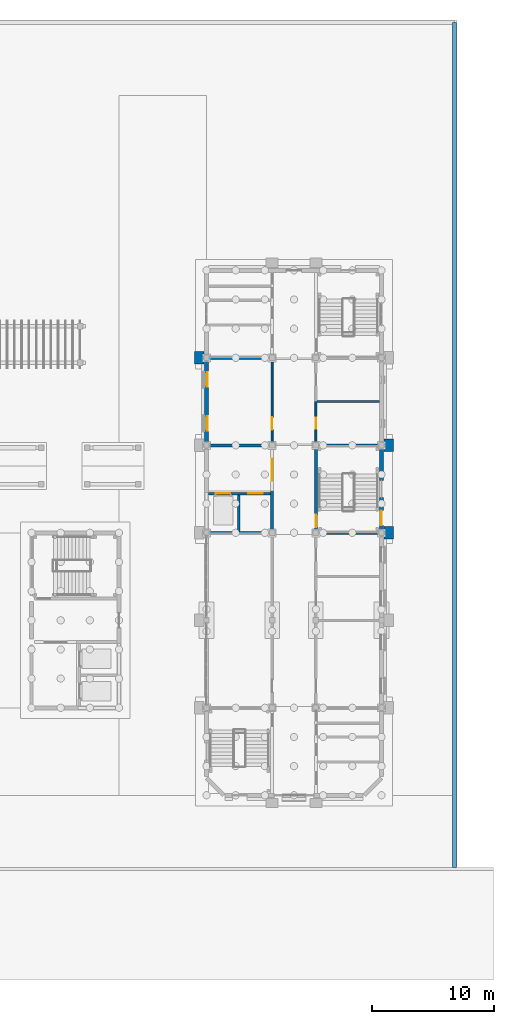
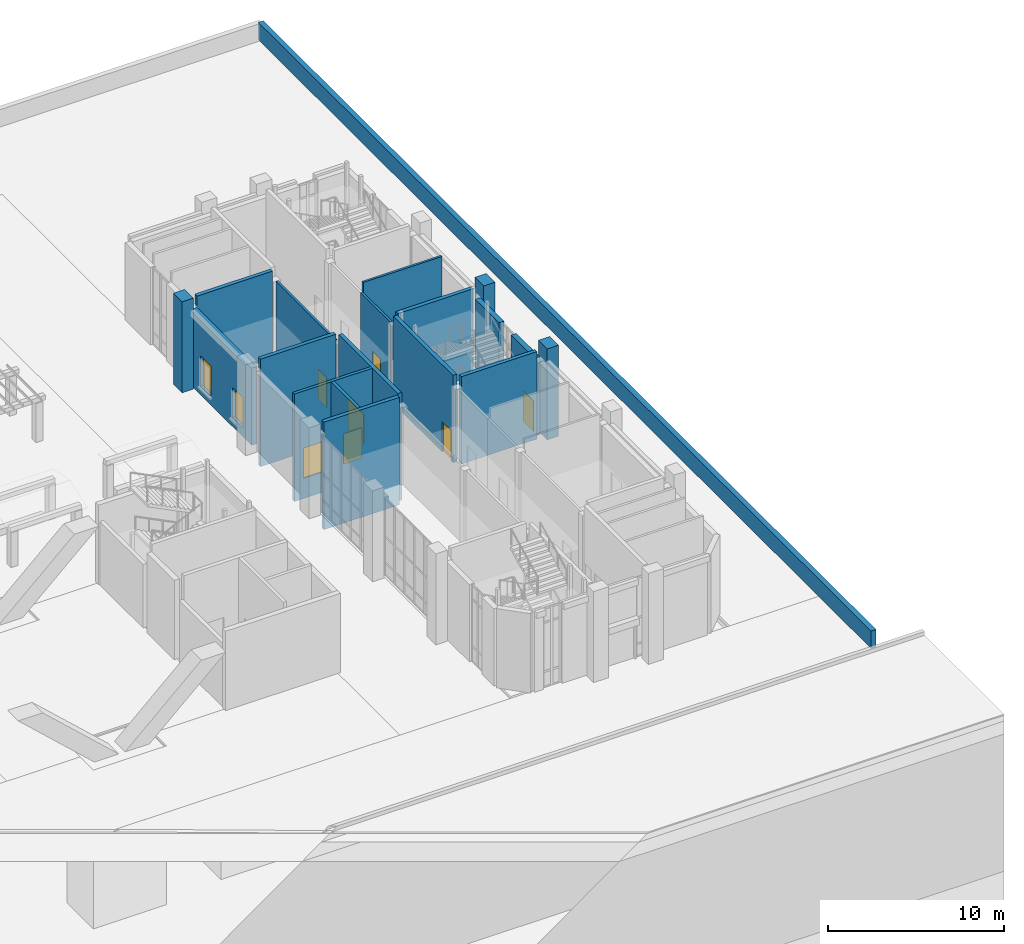
# One storey, part 43 of 84: 19 walls, 7 doors, 2 windows, 9 openings.
"""IFC4 building model written with IfcOpenShell, lengths in metres."""

from ifc_helpers import new_model, si_unit, direction, frame, frame_2d, origin, place, context, subcontext, project, spatial, rectangle, extrude, material, layer, layer_set, type_object, element, fill, save


model = new_model("IFC4")

# Units and contexts
model_context = context("Model", 3, precision=1e-05, world=origin(), true_north=direction((0.0, 1.0)))
body_context = subcontext(model_context, "Body", "Model", "MODEL_VIEW")
ifc_project = project(units=[si_unit("LENGTHUNIT", "METRE"), si_unit("AREAUNIT", "SQUARE_METRE"), si_unit("VOLUMEUNIT", "CUBIC_METRE"), si_unit("PLANEANGLEUNIT", "RADIAN"), si_unit("MASSUNIT", "GRAM", prefix="KILO")], contexts=[model_context])

# Site, building, storey
site_placement = place(None, origin())
site = spatial("IfcSite", under=ifc_project, at=site_placement, CompositionType="ELEMENT")
building_placement = place(site_placement, origin())
building = spatial("IfcBuilding", under=site, at=building_placement, Name="Mazhai Court Health Centre", CompositionType="ELEMENT")
storey_placement = place(building_placement, origin())
storey = spatial("IfcBuildingStorey", under=building, at=storey_placement, Name="L00", CompositionType="ELEMENT", Elevation=0.0)

# Walls
ifc_material_1 = material(Name="Clay brick masonry", Category="masonry")
ifc_layer_1 = layer(ifc_material_1, 0.330078125)
ifc_layer_set_1 = layer_set([ifc_layer_1], Name="BRICK BOUNDARY WALL 330")
wall_type_1 = type_object("IfcWallType", Name="BRICK BOUNDARY WALL 330", PredefinedType="SOLIDWALL", material=ifc_layer_set_1)
wall_1_placement = place(storey_placement, frame((156.199951171875, 69.800048828125, 0.0), z_axis=(0.0, 0.0, 1.0), x_axis=(0.0, -1.0, 0.0)))
element("IfcWall", 1, at=wall_1_placement, inside=storey, type_object=wall_type_1, Name="Boundary wall E", PredefinedType="SOLIDWALL", context=body_context, shape_type="SweptSolid", body=[
    extrude(rectangle(XDim=69.550048828125, YDim=0.330078125, at=frame_2d((34.77490234375, 0.0))), origin(), (0.0, 0.0, 1.0), 1.199951171875),
])
ifc_material_2 = material(Name="Clay brick masonry", Category="masonry")
ifc_layer_2 = layer(ifc_material_2, 0.75)
ifc_layer_set_2 = layer_set([ifc_layer_2], Name="BRICK PIER 750")
wall_type_2 = type_object("IfcWallType", Name="BRICK PIER 750", PredefinedType="SOLIDWALL", material=ifc_layer_set_2)
for number, where, z_axis, x_axis, name in (
    (2, (135.199951171875, 41.699951171875, 0.0), (0.0, 0.0, 1.0), (0.0, 1.0, 0.0), "EP-V6-L00-A5"),
    (3, (150.800048828125, 28.300048828125, 0.0), (0.0, 0.0, 1.0), (0.0, -1.0, 0.0), "EP-V6-L00-B3"),
    (4, (150.800048828125, 35.5, 0.0), (0.0, 0.0, 1.0), (0.0, -1.0, 0.0), "EP-V6-L00-B4"),
):
    element("IfcWall", number, at=place(storey_placement, frame(where, z_axis=z_axis, x_axis=x_axis)), inside=storey, type_object=wall_type_2, Name=name, PredefinedType="SOLIDWALL", context=body_context, shape_type="SweptSolid", body=[
        extrude(rectangle(XDim=1.0, YDim=0.75, at=frame_2d((0.5, 0.0))), origin(), (0.0, 0.0, 1.0), 6.300048828125),
    ])

# Wall, openings, windows
ifc_material_3 = material(Name="Clay brick masonry", Category="masonry")
ifc_layer_3 = layer(ifc_material_3, 0.330078125)
ifc_layer_set_3 = layer_set([ifc_layer_3], Name="BRICK WALL 330 EXTERNAL")
wall_type_3 = type_object("IfcWallType", Name="BRICK WALL 330 EXTERNAL", PredefinedType="SOLIDWALL", material=ifc_layer_set_3)
wall_2_placement = place(storey_placement, frame((135.800048828125, 35.22509765625, 0.0), z_axis=(0.0, 0.0, 1.0), x_axis=(0.0, 1.0, 0.0)))
wall_2 = element("IfcWall", 5, at=wall_2_placement, inside=storey, type_object=wall_type_3, Name="EW-V6-L00-A4p0", PredefinedType="SOLIDWALL", context=body_context, shape_type="SweptSolid", body=[
    extrude(rectangle(XDim=6.75, YDim=0.330078125, at=frame_2d((3.375, 0.0))), origin(), (0.0, 0.0, 1.0), 5.35009765625),
])
opening_1_placement = place(wall_2_placement, frame((0.97509765625, 0.0, 0.60009765625)))
opening_1 = element("IfcOpeningElement", 6, at=opening_1_placement, cuts=wall_2, Name="Opening W1", PredefinedType="OPENING", context=body_context, shape_type="SweptSolid", body=[
    extrude(rectangle(XDim=1.199951171875, YDim=2.10009765625, at=frame_2d((0.60009765625, 1.050048828125))), frame((0.0, 0.175048828125, 0.0), z_axis=(0.0, -1.0, 0.0), x_axis=(1.0, 0.0, 0.0)), (0.0, 0.0, 1.0), 0.35009765625),
])
opening_2_placement = place(wall_2_placement, frame((4.574951171875, 0.0, 0.60009765625)))
opening_2 = element("IfcOpeningElement", 7, at=opening_2_placement, cuts=wall_2, Name="Opening W1", PredefinedType="OPENING", context=body_context, shape_type="SweptSolid", body=[
    extrude(rectangle(XDim=1.199951171875, YDim=2.10009765625, at=frame_2d((0.60009765625, 1.050048828125))), frame((0.0, 0.175048828125, 0.0), z_axis=(0.0, -1.0, 0.0), x_axis=(1.0, 0.0, 0.0)), (0.0, 0.0, 1.0), 0.35009765625),
])
ifc_material_4 = material(Name="Teak timber frame, glazed", Category="wood")
window_type = type_object("IfcWindowType", Name="WINDOW CONSULTING 1200x2100", PartitioningType="SINGLE_PANEL", PredefinedType="WINDOW", material=ifc_material_4)
window_1_placement = place(opening_1_placement, origin())
window_1 = element("IfcWindow", 8, at=window_1_placement, inside=storey, type_object=window_type, Name="W1 WN-V6-L00-A40", OverallHeight=2.10009765625, OverallWidth=1.199951171875, PartitioningType="SINGLE_PANEL", PredefinedType="WINDOW", context=body_context, shape_type="SweptSolid", body=[
    extrude(rectangle(XDim=1.199951171875, YDim=2.10009765625, at=frame_2d((0.60009765625, 1.050048828125))), frame((0.0, -0.030029296875, 0.0), z_axis=(0.0, -1.0, 0.0), x_axis=(1.0, 0.0, 0.0)), (0.0, 0.0, 1.0), 0.06005859375),
])
fill(opening_1, window_1)
window_2_placement = place(opening_2_placement, origin())
window_2 = element("IfcWindow", 9, at=window_2_placement, inside=storey, type_object=window_type, Name="W1 WN-V6-L00-A41", OverallHeight=2.10009765625, OverallWidth=1.199951171875, PartitioningType="SINGLE_PANEL", PredefinedType="WINDOW", context=body_context, shape_type="SweptSolid", body=[
    extrude(rectangle(XDim=1.199951171875, YDim=2.10009765625, at=frame_2d((0.60009765625, 1.050048828125))), frame((0.0, -0.030029296875, 0.0), z_axis=(0.0, -1.0, 0.0), x_axis=(1.0, 0.0, 0.0)), (0.0, 0.0, 1.0), 0.06005859375),
])
fill(opening_2, window_2)

# Wall, opening, door
wall_3_placement = place(storey_placement, frame((150.199951171875, 30.699951171875, 0.0), z_axis=(0.0, 0.0, 1.0), x_axis=(0.0, -1.0, 0.0)))
wall_3 = element("IfcWall", 10, at=wall_3_placement, inside=storey, type_object=wall_type_3, Name="EW-V6-L00-B3a", PredefinedType="SOLIDWALL", context=body_context, shape_type="SweptSolid", body=[
    extrude(rectangle(XDim=2.675048828125, YDim=0.330078125, at=frame_2d((1.33740234375, 0.0))), origin(), (0.0, 0.0, 1.0), 5.35009765625),
])
opening_3_placement = place(wall_3_placement, frame((1.080078125, 0.0, 0.0)))
opening_3 = element("IfcOpeningElement", 11, at=opening_3_placement, cuts=wall_3, Name="Opening D-L00-101", PredefinedType="OPENING", context=body_context, shape_type="SweptSolid", body=[
    extrude(rectangle(XDim=1.199951171875, YDim=2.10009765625, at=frame_2d((0.60009765625, 1.050048828125))), frame((0.0, 0.175048828125, 0.0), z_axis=(0.0, -1.0, 0.0), x_axis=(1.0, 0.0, 0.0)), (0.0, 0.0, 1.0), 0.35009765625),
])
ifc_material_5 = material(Name="Teak timber door, glazed", Category="wood")
door_type_1 = type_object("IfcDoorType", Name="DOOR FIRE EXIT 1200x2100", OperationType="SINGLE_SWING_LEFT", PredefinedType="DOOR", material=ifc_material_5)
door_1_placement = place(opening_3_placement, origin())
door_1 = element("IfcDoor", 12, at=door_1_placement, inside=storey, type_object=door_type_1, Name="L00-E08", OperationType="SINGLE_SWING_LEFT", OverallHeight=2.10009765625, OverallWidth=1.199951171875, PredefinedType="DOOR", context=body_context, shape_type="SweptSolid", body=[
    extrude(rectangle(XDim=1.199951171875, YDim=2.10009765625, at=frame_2d((0.60009765625, 1.050048828125))), frame((0.0, 0.02490234375, 0.0), z_axis=(0.0, -1.0, 0.0), x_axis=(1.0, 0.0, 0.0)), (0.0, 0.0, 1.0), 0.050048828125),
])
fill(opening_3, door_1)

# Wall
wall_4_placement = place(storey_placement, frame((150.199951171875, 34.77490234375, 0.0), z_axis=(0.0, 0.0, 1.0), x_axis=(0.0, -1.0, 0.0)))
element("IfcWall", 13, at=wall_4_placement, inside=storey, type_object=wall_type_3, Name="EW-V6-L00-B3b", PredefinedType="SOLIDWALL", context=body_context, shape_type="SweptSolid", body=[
    extrude(rectangle(XDim=2.6748046875, YDim=0.330078125, at=frame_2d((1.33740234375, 0.0))), origin(), (0.0, 0.0, 1.0), 5.35009765625),
])

# Wall, opening, door
ifc_material_6 = material(Name="Gypsum plasterboard partition")
ifc_layer_4 = layer(ifc_material_6, 0.14990234375)
ifc_layer_set_4 = layer_set([ifc_layer_4], Name="PARTITION 150 CORRIDOR EI60")
wall_type_4 = type_object("IfcWallType", Name="PARTITION 150 CORRIDOR EI60", PredefinedType="PARTITIONING", material=ifc_layer_set_4)
wall_5_placement = place(storey_placement, frame((141.199951171875, 35.22509765625, 0.0), z_axis=(0.0, 0.0, 1.0), x_axis=(0.0, 1.0, 0.0)))
wall_5 = element("IfcWall", 14, at=wall_5_placement, inside=storey, type_object=wall_type_4, Name="wall-V6-L00-A1-corr-0a", PredefinedType="PARTITIONING", context=body_context, shape_type="SweptSolid", body=[
    extrude(rectangle(XDim=6.75, YDim=0.14990234375, at=frame_2d((3.375, 0.0))), origin(), (0.0, 0.0, 1.0), 5.35009765625),
])
opening_4_placement = place(wall_5_placement, frame((1.074951171875, 0.0, 0.0)))
opening_4 = element("IfcOpeningElement", 15, at=opening_4_placement, cuts=wall_5, Name="Opening D-L00-083", PredefinedType="OPENING", context=body_context, shape_type="SweptSolid", body=[
    extrude(rectangle(XDim=1.0, YDim=2.10009765625, at=frame_2d((0.5, 1.050048828125))), frame((0.0, 0.0849609375, 0.0), z_axis=(0.0, -1.0, 0.0), x_axis=(1.0, 0.0, 0.0)), (0.0, 0.0, 1.0), 0.169921875),
])
ifc_material_7 = material(Name="Hardwood door leaf", Category="wood")
door_type_2 = type_object("IfcDoorType", Name="DOOR 1000x2100 FD30S SINGLE", OperationType="NOTDEFINED", PredefinedType="DOOR", material=ifc_material_7)
door_2_placement = place(opening_4_placement, origin())
door_2 = element("IfcDoor", 16, at=door_2_placement, inside=storey, type_object=door_type_2, Name="door-V6-L00-A1-yoga-and-exercise-room", OperationType="SINGLE_SWING_LEFT", OverallHeight=2.10009765625, OverallWidth=1.0, PredefinedType="DOOR", context=body_context, shape_type="SweptSolid", body=[
    extrude(rectangle(XDim=1.0, YDim=2.10009765625, at=frame_2d((0.5, 1.050048828125))), frame((0.0, 0.02490234375, 0.0), z_axis=(0.0, -1.0, 0.0), x_axis=(1.0, 0.0, 0.0)), (0.0, 0.0, 1.0), 0.050048828125),
])
fill(opening_4, door_2)

wall_6_placement = place(storey_placement, frame((144.800048828125, 35.22509765625, 0.0), z_axis=(0.0, 0.0, 1.0), x_axis=(0.0, 1.0, 0.0)))
wall_6 = element("IfcWall", 17, at=wall_6_placement, inside=storey, type_object=wall_type_4, Name="wall-V6-L00-B1-corr-0a", PredefinedType="PARTITIONING", context=body_context, shape_type="SweptSolid", body=[
    extrude(rectangle(XDim=3.375, YDim=0.14990234375, at=frame_2d((1.6875, 0.0))), origin(), (0.0, 0.0, 1.0), 5.35009765625),
])
opening_5_placement = place(wall_6_placement, frame((1.125, 0.0, 0.0)))
opening_5 = element("IfcOpeningElement", 18, at=opening_5_placement, cuts=wall_6, Name="Opening D-L00-098", PredefinedType="OPENING", context=body_context, shape_type="SweptSolid", body=[
    extrude(rectangle(XDim=0.89990234375, YDim=2.10009765625, at=frame_2d((0.449951171875, 1.050048828125))), frame((0.0, 0.0849609375, 0.0), z_axis=(0.0, -1.0, 0.0), x_axis=(1.0, 0.0, 0.0)), (0.0, 0.0, 1.0), 0.169921875),
])
ifc_material_8 = material(Name="Hardwood door leaf", Category="wood")
door_type_3 = type_object("IfcDoorType", Name="DOOR 900x2100 FD30S SINGLE", OperationType="NOTDEFINED", PredefinedType="DOOR", material=ifc_material_8)
door_3_placement = place(opening_5_placement, origin())
door_3 = element("IfcDoor", 19, at=door_3_placement, inside=storey, type_object=door_type_3, Name="door-V6-L00-B1-public-wc-male", OperationType="SINGLE_SWING_LEFT", OverallHeight=2.10009765625, OverallWidth=0.89990234375, PredefinedType="DOOR", context=body_context, shape_type="SweptSolid", body=[
    extrude(rectangle(XDim=0.89990234375, YDim=2.10009765625, at=frame_2d((0.449951171875, 1.050048828125))), frame((0.0, 0.02490234375, 0.0), z_axis=(0.0, -1.0, 0.0), x_axis=(1.0, 0.0, 0.0)), (0.0, 0.0, 1.0), 0.050048828125),
])
fill(opening_5, door_3)

# Wall
ifc_material_9 = material(Name="Gypsum plasterboard partition")
ifc_layer_5 = layer(ifc_material_9, 0.14990234375)
ifc_layer_set_5 = layer_set([ifc_layer_5], Name="PARTITION 150 WET AREA EI30")
wall_type_5 = type_object("IfcWallType", Name="PARTITION 150 WET AREA EI30", PredefinedType="PARTITIONING", material=ifc_layer_set_5)
wall_7_placement = place(storey_placement, frame((150.034912109375, 38.60009765625, 0.0), z_axis=(0.0, 0.0, 1.0), x_axis=(-1.0, 0.0, 0.0)))
element("IfcWall", 20, at=wall_7_placement, inside=storey, type_object=wall_type_5, Name="wall-V6-L00-B1-cross-1a", PredefinedType="PARTITIONING", context=body_context, shape_type="SweptSolid", body=[
    extrude(rectangle(XDim=5.159912109375, YDim=0.14990234375, at=frame_2d((2.580078125, 0.0))), origin(), (0.0, 0.0, 1.0), 6.050048828125),
])

# Wall, opening, door
ifc_material_10 = material(Name="Concrete M40", Category="concrete")
ifc_layer_6 = layer(ifc_material_10, 0.25)
ifc_layer_set_6 = layer_set([ifc_layer_6], Name="RC CORE WALL 250 M40")
wall_type_6 = type_object("IfcWallType", Name="RC CORE WALL 250 M40", PredefinedType="SHEAR", material=ifc_layer_set_6)
wall_8_placement = place(storey_placement, frame((144.800048828125, 28.02490234375, 0.0), z_axis=(0.0, 0.0, 1.0), x_axis=(0.0, 1.0, 0.0)))
wall_8 = element("IfcWall", 21, at=wall_8_placement, inside=storey, type_object=wall_type_6, Name="core-C9-w-stair-corr-L00", PredefinedType="SHEAR", context=body_context, shape_type="SweptSolid", body=[
    extrude(rectangle(XDim=6.75, YDim=0.25, at=frame_2d((3.375, 0.0))), origin(), (0.0, 0.0, 1.0), 6.050048828125),
])
opening_6_placement = place(wall_8_placement, frame((0.25, 0.0, 0.0)))
opening_6 = element("IfcOpeningElement", 22, at=opening_6_placement, cuts=wall_8, Name="Opening D-L00-097", PredefinedType="OPENING", context=body_context, shape_type="SweptSolid", body=[
    extrude(rectangle(XDim=1.0, YDim=2.10009765625, at=frame_2d((0.5, 1.050048828125))), frame((0.0, 0.135009765625, 0.0), z_axis=(0.0, -1.0, 0.0), x_axis=(1.0, 0.0, 0.0)), (0.0, 0.0, 1.0), 0.27001953125),
])
ifc_material_11 = material(Name="Steel fire door leaf", Category="steel")
door_type_4 = type_object("IfcDoorType", Name="FD120S STAIR DOOR 1000x2100", OperationType="SINGLE_SWING_LEFT", PredefinedType="DOOR", material=ifc_material_11)
door_4_placement = place(opening_6_placement, origin())
door_4 = element("IfcDoor", 23, at=door_4_placement, inside=storey, type_object=door_type_4, Name="Stair 9 door L00", OperationType="SINGLE_SWING_LEFT", OverallHeight=2.10009765625, OverallWidth=1.0, PredefinedType="DOOR", context=body_context, shape_type="SweptSolid", body=[
    extrude(rectangle(XDim=1.0, YDim=2.10009765625, at=frame_2d((0.5, 1.050048828125))), frame((0.0, 0.02490234375, 0.0), z_axis=(0.0, -1.0, 0.0), x_axis=(1.0, 0.0, 0.0)), (0.0, 0.0, 1.0), 0.050048828125),
])
fill(opening_6, door_4)

# Walls
for number, where, z_axis, x_axis, name in (
    (24, (145.02490234375, 27.800048828125, 0.0), (0.0, 0.0, 1.0), (1.0, 0.0, 0.0), "core-C9-w-stair-line0-L00"),
    (25, (145.02490234375, 35.0, 0.0), (0.0, 0.0, 1.0), (1.0, 0.0, 0.0), "core-C9-w-stair-line1-L00"),
):
    element("IfcWall", number, at=place(storey_placement, frame(where, z_axis=z_axis, x_axis=x_axis)), inside=storey, type_object=wall_type_6, Name=name, PredefinedType="SHEAR", context=body_context, shape_type="SweptSolid", body=[
        extrude(rectangle(XDim=4.9501953125, YDim=0.25, at=frame_2d((2.47509765625, 0.0))), origin(), (0.0, 0.0, 1.0), 6.050048828125),
    ])

# Wall, opening, door
wall_9_placement = place(storey_placement, frame((141.199951171875, 28.02490234375, -1.39990234375), z_axis=(0.0, 0.0, 1.0), x_axis=(0.0, 1.0, 0.0)))
wall_9 = element("IfcWall", 26, at=wall_9_placement, inside=storey, type_object=wall_type_6, Name="core-C9-w-other-corr-L00", PredefinedType="SHEAR", context=body_context, shape_type="SweptSolid", body=[
    extrude(rectangle(XDim=6.75, YDim=0.25, at=frame_2d((3.375, 0.0))), origin(), (0.0, 0.0, 1.0), 7.449951171875),
])
opening_7_placement = place(wall_9_placement, frame((4.074951171875, 0.0, 1.39990234375)))
opening_7 = element("IfcOpeningElement", 27, at=opening_7_placement, cuts=wall_9, Name="Opening D-L00-082", PredefinedType="OPENING", context=body_context, shape_type="SweptSolid", body=[
    extrude(rectangle(XDim=1.800048828125, YDim=2.10009765625, at=frame_2d((0.89990234375, 1.050048828125))), frame((0.0, 0.135009765625, 0.0), z_axis=(0.0, -1.0, 0.0), x_axis=(1.0, 0.0, 0.0)), (0.0, 0.0, 1.0), 0.27001953125),
])
ifc_material_12 = material(Name="Steel fire door leaf", Category="steel")
door_type_5 = type_object("IfcDoorType", Name="FD60S LIFT LOBBY DOOR 1800x2100", OperationType="DOUBLE_DOOR_SINGLE_SWING", PredefinedType="DOOR", material=ifc_material_12)
door_5_placement = place(opening_7_placement, origin())
door_5 = element("IfcDoor", 28, at=door_5_placement, inside=storey, type_object=door_type_5, Name="Lift lobby door L00", OperationType="DOUBLE_DOOR_SINGLE_SWING", OverallHeight=2.10009765625, OverallWidth=1.800048828125, PredefinedType="DOOR", context=body_context, shape_type="SweptSolid", body=[
    extrude(rectangle(XDim=1.800048828125, YDim=2.10009765625, at=frame_2d((0.89990234375, 1.050048828125))), frame((0.0, 0.02490234375, 0.0), z_axis=(0.0, -1.0, 0.0), x_axis=(1.0, 0.0, 0.0)), (0.0, 0.0, 1.0), 0.050048828125),
])
fill(opening_7, door_5)

# Walls
for number, where, z_axis, x_axis, name in (
    (29, (136.02490234375, 27.800048828125, -1.39990234375), (0.0, 0.0, 1.0), (1.0, 0.0, 0.0), "core-C9-w-other-line0-L00"),
    (30, (136.02490234375, 35.0, -1.39990234375), (0.0, 0.0, 1.0), (1.0, 0.0, 0.0), "core-C9-w-other-line1-L00"),
):
    element("IfcWall", number, at=place(storey_placement, frame(where, z_axis=z_axis, x_axis=x_axis)), inside=storey, type_object=wall_type_6, Name=name, PredefinedType="SHEAR", context=body_context, shape_type="SweptSolid", body=[
        extrude(rectangle(XDim=4.9501953125, YDim=0.25, at=frame_2d((2.47509765625, 0.0))), origin(), (0.0, 0.0, 1.0), 7.449951171875),
    ])
wall_10_placement = place(storey_placement, frame((136.02490234375, 42.199951171875, 0.0), z_axis=(0.0, 0.0, 1.0), x_axis=(1.0, 0.0, 0.0)))
element("IfcWall", 31, at=wall_10_placement, inside=storey, type_object=wall_type_6, Name="core-C10-w-other-line0-L00", PredefinedType="SHEAR", context=body_context, shape_type="SweptSolid", body=[
    extrude(rectangle(XDim=4.9501953125, YDim=0.25, at=frame_2d((2.47509765625, 0.0))), origin(), (0.0, 0.0, 1.0), 6.050048828125),
])

# Wall, openings, doors
ifc_material_13 = material(Name="Concrete M40", Category="concrete")
ifc_layer_7 = layer(ifc_material_13, 0.199951171875)
ifc_layer_set_7 = layer_set([ifc_layer_7], Name="RC SHAFT WALL 200 M40")
wall_type_7 = type_object("IfcWallType", Name="RC SHAFT WALL 200 M40", PredefinedType="SHEAR", material=ifc_layer_set_7)
wall_11_placement = place(storey_placement, frame((135.965087890625, 31.02490234375, -1.39990234375), z_axis=(0.0, 0.0, 1.0), x_axis=(1.0, 0.0, 0.0)))
wall_11 = element("IfcWall", 32, at=wall_11_placement, inside=storey, type_object=wall_type_7, Name="core-C9-w-front-L00", PredefinedType="SHEAR", context=body_context, shape_type="SweptSolid", body=[
    extrude(rectangle(XDim=5.10986328125, YDim=0.199951171875, at=frame_2d((2.554931640625, 0.0))), origin(), (0.0, 0.0, 1.0), 7.449951171875),
])
opening_8_placement = place(wall_11_placement, frame((0.60009765625, 0.0, 1.39990234375)))
opening_8 = element("IfcOpeningElement", 33, at=opening_8_placement, cuts=wall_11, Name="Opening LD9-L00", PredefinedType="OPENING", context=body_context, shape_type="SweptSolid", body=[
    extrude(rectangle(XDim=1.199951171875, YDim=2.10009765625, at=frame_2d((0.60009765625, 1.050048828125))), frame((0.0, 0.10986328125, 0.0), z_axis=(0.0, -1.0, 0.0), x_axis=(1.0, 0.0, 0.0)), (0.0, 0.0, 1.0), 0.219970703125),
])
opening_9_placement = place(wall_11_placement, frame((3.2548828125, 0.0, 1.39990234375)))
opening_9 = element("IfcOpeningElement", 34, at=opening_9_placement, cuts=wall_11, Name="Opening D-L00-079", PredefinedType="OPENING", context=body_context, shape_type="SweptSolid", body=[
    extrude(rectangle(XDim=1.199951171875, YDim=2.10009765625, at=frame_2d((0.60009765625, 1.050048828125))), frame((0.0, 0.10986328125, 0.0), z_axis=(0.0, -1.0, 0.0), x_axis=(1.0, 0.0, 0.0)), (0.0, 0.0, 1.0), 0.219970703125),
])
ifc_material_14 = material(Name="Steel fire door leaf", Category="steel")
door_type_6 = type_object("IfcDoorType", Name="FD60S RISER ACCESS DOOR 1200x2100", OperationType="DOUBLE_DOOR_SINGLE_SWING", PredefinedType="DOOR", material=ifc_material_14)
door_6_placement = place(opening_9_placement, origin())
door_6 = element("IfcDoor", 35, at=door_6_placement, inside=storey, type_object=door_type_6, Name="Riser door L00", OperationType="DOUBLE_DOOR_SINGLE_SWING", OverallHeight=2.10009765625, OverallWidth=1.199951171875, PredefinedType="DOOR", context=body_context, shape_type="SweptSolid", body=[
    extrude(rectangle(XDim=1.199951171875, YDim=2.10009765625, at=frame_2d((0.60009765625, 1.050048828125))), frame((0.0, 0.02490234375, 0.0), z_axis=(0.0, -1.0, 0.0), x_axis=(1.0, 0.0, 0.0)), (0.0, 0.0, 1.0), 0.050048828125),
])
fill(opening_9, door_6)
ifc_material_15 = material(Name="Stainless steel lift door", Category="steel")
door_type_7 = type_object("IfcDoorType", Name="LIFT LANDING DOOR 1200x2100", OperationType="DOUBLE_DOOR_SLIDING", PredefinedType="DOOR", material=ifc_material_15)
door_7_placement = place(opening_8_placement, origin())
door_7 = element("IfcDoor", 36, at=door_7_placement, inside=storey, type_object=door_type_7, Name="Landing door LD9 L00", OperationType="DOUBLE_DOOR_SLIDING", OverallHeight=2.10009765625, OverallWidth=1.199951171875, PredefinedType="DOOR", context=body_context, shape_type="SweptSolid", body=[
    extrude(rectangle(XDim=1.199951171875, YDim=2.10009765625, at=frame_2d((0.60009765625, 1.050048828125))), frame((0.0, 0.02490234375, 0.0), z_axis=(0.0, -1.0, 0.0), x_axis=(1.0, 0.0, 0.0)), (0.0, 0.0, 1.0), 0.050048828125),
])
fill(opening_8, door_7)

# Wall
wall_12_placement = place(storey_placement, frame((138.465087890625, 27.925048828125, -1.39990234375), z_axis=(0.0, 0.0, 1.0), x_axis=(0.0, 1.0, 0.0)))
element("IfcWall", 37, at=wall_12_placement, inside=storey, type_object=wall_type_7, Name="core-C9-w-divider0-L00", PredefinedType="SHEAR", context=body_context, shape_type="SweptSolid", body=[
    extrude(rectangle(XDim=3.0, YDim=0.199951171875, at=frame_2d((1.5, 0.0))), origin(), (0.0, 0.0, 1.0), 7.449951171875),
])

save(model, "model.ifc")
